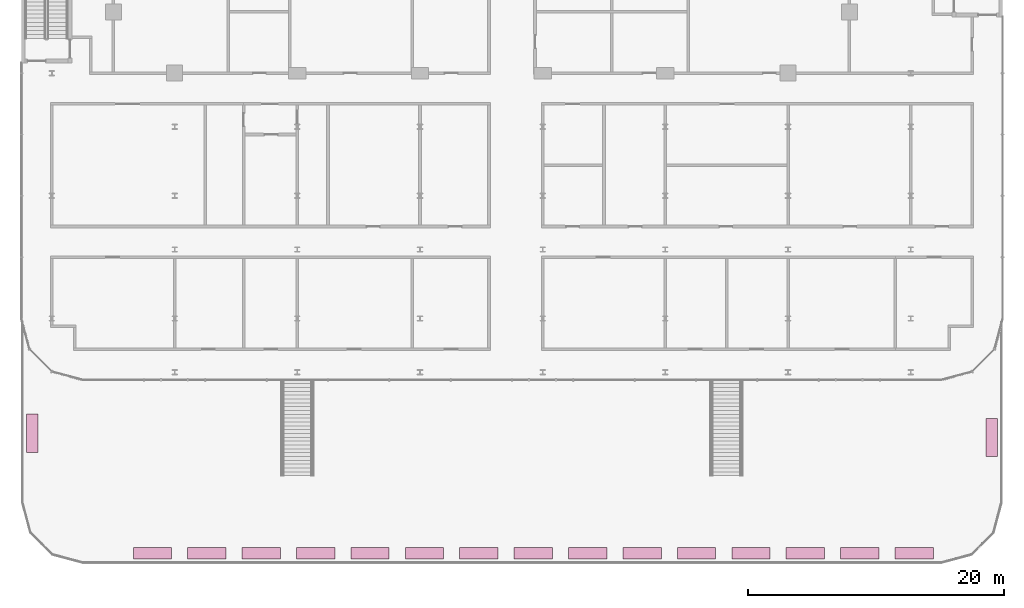
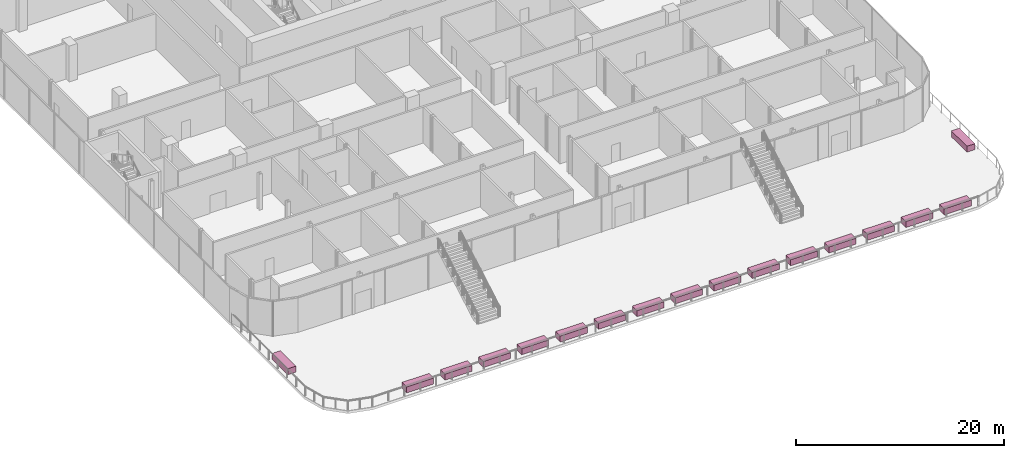
# One storey, part 43 of 43: 17 furniture elements.
"""IFC4 building model written with IfcOpenShell, lengths in metres."""

from ifc_helpers import new_model, si_unit, direction, frame, origin, origin_2d, place, context, subcontext, project, spatial, rectangle, extrude, material, type_object, element, save


model = new_model("IFC4")

# Units and contexts
model_context = context("Model", 3, precision=1e-05, world=origin(), true_north=direction((0.0, 1.0)))
body_context = subcontext(model_context, "Body", "Model", "MODEL_VIEW")
ifc_project = project(units=[si_unit("LENGTHUNIT", "METRE"), si_unit("AREAUNIT", "SQUARE_METRE"), si_unit("VOLUMEUNIT", "CUBIC_METRE"), si_unit("PLANEANGLEUNIT", "RADIAN"), si_unit("MASSUNIT", "GRAM", prefix="KILO")], contexts=[model_context])

# Site, building, storey
site_placement = place(None, origin())
site = spatial("IfcSite", under=ifc_project, at=site_placement, CompositionType="ELEMENT")
building_placement = place(site_placement, origin())
building = spatial("IfcBuilding", under=site, at=building_placement, Name="Madar Terraces", CompositionType="ELEMENT")
storey_placement = place(building_placement, frame((0.0, 0.0, 10.5)))
storey = spatial("IfcBuildingStorey", under=building, at=storey_placement, Name="L02", CompositionType="ELEMENT", Elevation=10.5)

# Furniture
ifc_material = material(Name="Precast concrete C30/37, planted soil", Category="concrete")
furniture_type = type_object("IfcFurnitureType", Name="Terrace planter 3000 x 900 x 700", AssemblyPlace="NOTDEFINED", PredefinedType="NOTDEFINED", material=ifc_material)
for number, where, z_axis, x_axis, name in (
    (1, (68.75, -28.511962890625, 0.0400390625), (0.0, 0.0, 1.0), (0.0, 1.0, 0.0), "PLANTER L02 1"),
    (2, (-6.35009765625, -28.165283203125, 0.0400390625), (0.0, 0.0, 1.0), (0.0, -1.0, 0.0), "PLANTER L02 2"),
    (3, (3.062255859375, -37.550048828125, 0.0400390625), (0.0, 0.0, 1.0), (1.0, 0.0, 0.0), "PLANTER L02 3"),
    (4, (7.320068359375, -37.550048828125, 0.0400390625), (0.0, 0.0, 1.0), (1.0, 0.0, 0.0), "PLANTER L02 4"),
    (5, (11.577880859375, -37.550048828125, 0.0400390625), (0.0, 0.0, 1.0), (1.0, 0.0, 0.0), "PLANTER L02 5"),
    (6, (15.835693359375, -37.550048828125, 0.0400390625), (0.0, 0.0, 1.0), (1.0, 0.0, 0.0), "PLANTER L02 6"),
    (7, (20.093505859375, -37.550048828125, 0.0400390625), (0.0, 0.0, 1.0), (1.0, 0.0, 0.0), "PLANTER L02 7"),
    (8, (24.351318359375, -37.550048828125, 0.0400390625), (0.0, 0.0, 1.0), (1.0, 0.0, 0.0), "PLANTER L02 8"),
    (9, (28.60888671875, -37.550048828125, 0.0400390625), (0.0, 0.0, 1.0), (1.0, 0.0, 0.0), "PLANTER L02 9"),
    (10, (32.86669921875, -37.550048828125, 0.0400390625), (0.0, 0.0, 1.0), (1.0, 0.0, 0.0), "PLANTER L02 10"),
    (11, (37.12451171875, -37.550048828125, 0.0400390625), (0.0, 0.0, 1.0), (1.0, 0.0, 0.0), "PLANTER L02 11"),
    (12, (41.38232421875, -37.550048828125, 0.0400390625), (0.0, 0.0, 1.0), (1.0, 0.0, 0.0), "PLANTER L02 12"),
    (13, (45.639892578125, -37.550048828125, 0.0400390625), (0.0, 0.0, 1.0), (1.0, 0.0, 0.0), "PLANTER L02 13"),
    (14, (49.897705078125, -37.550048828125, 0.0400390625), (0.0, 0.0, 1.0), (1.0, 0.0, 0.0), "PLANTER L02 14"),
    (15, (54.155517578125, -37.550048828125, 0.0400390625), (0.0, 0.0, 1.0), (1.0, 0.0, 0.0), "PLANTER L02 15"),
    (16, (58.413330078125, -37.550048828125, 0.0400390625), (0.0, 0.0, 1.0), (1.0, 0.0, 0.0), "PLANTER L02 16"),
    (17, (62.671142578125, -37.550048828125, 0.0400390625), (0.0, 0.0, 1.0), (1.0, 0.0, 0.0), "PLANTER L02 17"),
):
    element("IfcFurniture", number, at=place(storey_placement, frame(where, z_axis=z_axis, x_axis=x_axis)), inside=storey, type_object=furniture_type, Name=name, PredefinedType="NOTDEFINED", context=body_context, shape_type="SweptSolid", body=[
        extrude(rectangle(XDim=3.0, YDim=0.89990234375, at=origin_2d()), origin(), (0.0, 0.0, 1.0), 0.699951171875),
    ])

save(model, "model.ifc")
